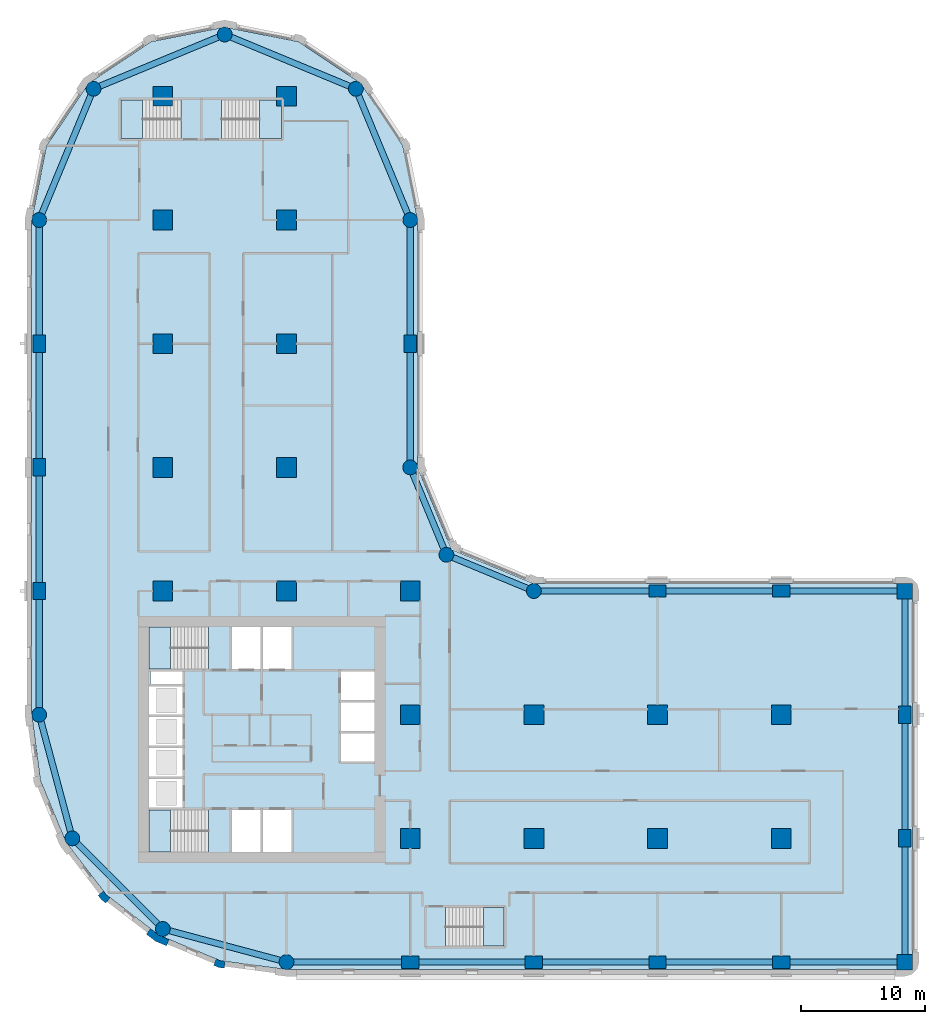
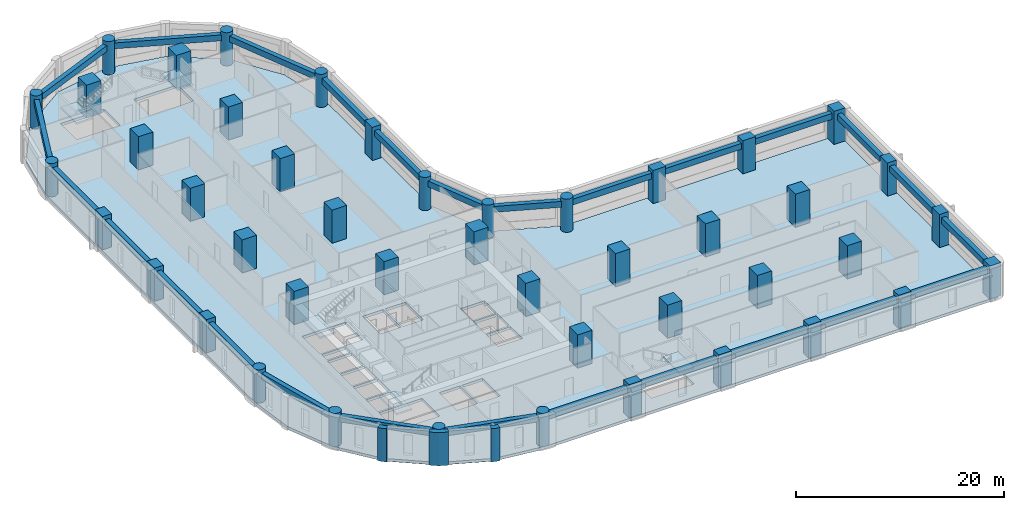
# One storey, part 1 of 10: 45 columns, 26 beams, 6 slabs, 3 walls, 5 elements without a shape of their own.
"""IFC4 building model written with IfcOpenShell, lengths in metres."""

from ifc_helpers import new_model, si_unit, direction, frame, origin, origin_2d, place, context, subcontext, project, spatial, polyline, rectangle, circle, outline, extrude, material, layer, layer_set, material_profile, profile_set, type_object, element, aggregate, save


model = new_model("IFC4")

# Units and contexts
model_context = context("Model", 3, precision=1e-05, world=origin(), true_north=direction((0.0, 1.0)))
body_context = subcontext(model_context, "Body", "Model", "MODEL_VIEW")
ifc_project = project(units=[si_unit("LENGTHUNIT", "METRE"), si_unit("AREAUNIT", "SQUARE_METRE"), si_unit("VOLUMEUNIT", "CUBIC_METRE"), si_unit("PLANEANGLEUNIT", "RADIAN"), si_unit("MASSUNIT", "GRAM", prefix="KILO")], contexts=[model_context])

# Site, building, storey
site_placement = place(None, origin())
site = spatial("IfcSite", under=ifc_project, at=site_placement, CompositionType="ELEMENT")
building_placement = place(site_placement, origin())
building = spatial("IfcBuilding", under=site, at=building_placement, Name="Qaws Garden Tower", CompositionType="ELEMENT")
storey_placement = place(building_placement, frame((0.0, 0.0, 113.39990234375)))
storey = spatial("IfcBuildingStorey", under=building, at=storey_placement, Name="L28", CompositionType="ELEMENT", Elevation=113.39990234375)

# Columns
ifc_material_1 = material(Name="Concrete C80", Category="concrete")
ifc_material_profile_1 = material_profile(ifc_material_1, rectangle(XDim=1.25, YDim=1.25, at=origin_2d()), Name="RC 1250x1250")
ifc_profile_set_1 = profile_set([ifc_material_profile_1], Name="Concrete C80")
column_type_1 = type_object("IfcColumnType", Name="Column RC 1250x1250 C80", PredefinedType="COLUMN", material=ifc_profile_set_1)
for number, where, z_axis, x_axis, name in (
    (1, (70.0, 0.0, 0.0), (0.0, 0.0, 1.0), (1.0, 0.0, 0.0), "Column L28-006"),
    (2, (70.0, 30.0, 0.0), (0.0, 0.0, 1.0), (1.0, 0.0, 0.0), "Column L28-009"),
):
    element("IfcColumn", number, at=place(storey_placement, frame(where, z_axis=z_axis, x_axis=x_axis)), inside=storey, type_object=column_type_1, Name=name, PredefinedType="COLUMN", context=body_context, shape_type="SweptSolid", body=[
        extrude(rectangle(XDim=1.25, YDim=1.25, at=origin_2d()), origin(), (0.0, 0.0, 1.0), 3.900146484375),
    ])
ifc_material_2 = material(Name="Concrete C80", Category="concrete")
ifc_material_profile_2 = material_profile(ifc_material_2, rectangle(XDim=1.39990234375, YDim=1.0, at=origin_2d()), Name="RC 1400x1000")
ifc_profile_set_2 = profile_set([ifc_material_profile_2], Name="Concrete C80")
column_type_2 = type_object("IfcColumnType", Name="Column RC 1400x1000 C80", PredefinedType="COLUMN", material=ifc_profile_set_2)
for number, where, z_axis, x_axis, name in (
    (3, (30.0, 0.0, 0.0), (0.0, 0.0, 1.0), (1.0, 0.0, 0.0), "Column L28-002"),
    (4, (40.0, 0.0, 0.0), (0.0, 0.0, 1.0), (1.0, 0.0, 0.0), "Column L28-003"),
    (5, (50.0, 0.0, 0.0), (0.0, 0.0, 1.0), (1.0, 0.0, 0.0), "Column L28-004"),
    (6, (60.0, 0.0, 0.0), (0.0, 0.0, 1.0), (1.0, 0.0, 0.0), "Column L28-005"),
    (7, (70.0, 10.0, 0.0), (0.0, 0.0, 1.0), (0.0, 1.0, 0.0), "Column L28-007"),
    (8, (70.0, 20.0, 0.0), (0.0, 0.0, 1.0), (0.0, 1.0, 0.0), "Column L28-008"),
    (9, (60.0, 30.0, 0.0), (0.0, 0.0, 1.0), (1.0, 0.0, 0.0), "Column L28-010"),
    (10, (50.0, 30.0, 0.0), (0.0, 0.0, 1.0), (1.0, 0.0, 0.0), "Column L28-011"),
    (11, (30.0, 50.0, 0.0), (0.0, 0.0, 1.0), (0.0, 1.0, 0.0), "Column L28-015"),
    (12, (0.0, 50.0, 0.0), (0.0, 0.0, 1.0), (0.0, 1.0, 0.0), "Column L28-021"),
    (13, (0.0, 40.0, 0.0), (0.0, 0.0, 1.0), (0.0, 1.0, 0.0), "Column L28-022"),
    (14, (0.0, 30.0, 0.0), (0.0, 0.0, 1.0), (0.0, 1.0, 0.0), "Column L28-023"),
):
    element("IfcColumn", number, at=place(storey_placement, frame(where, z_axis=z_axis, x_axis=x_axis)), inside=storey, type_object=column_type_2, Name=name, PredefinedType="COLUMN", context=body_context, shape_type="SweptSolid", body=[
        extrude(rectangle(XDim=1.39990234375, YDim=1.0, at=origin_2d()), origin(), (0.0, 0.0, 1.0), 3.900146484375),
    ])
ifc_material_3 = material(Name="Concrete C80", Category="concrete")
ifc_material_profile_3 = material_profile(ifc_material_3, rectangle(XDim=1.60009765625, YDim=1.60009765625, at=origin_2d()), Name="RC 1600x1600")
ifc_profile_set_3 = profile_set([ifc_material_profile_3], Name="Concrete C80")
column_type_3 = type_object("IfcColumnType", Name="Column RC 1600x1600 C80", PredefinedType="COLUMN", material=ifc_profile_set_3)
for number, where, z_axis, x_axis, name in (
    (15, (10.0, 30.0, 0.0), (0.0, 0.0, 1.0), (1.0, 0.0, 0.0), "Column L28-027"),
    (16, (10.0, 40.0, 0.0), (0.0, 0.0, 1.0), (1.0, 0.0, 0.0), "Column L28-028"),
    (17, (10.0, 50.0, 0.0), (0.0, 0.0, 1.0), (1.0, 0.0, 0.0), "Column L28-029"),
    (18, (10.0, 60.0, 0.0), (0.0, 0.0, 1.0), (1.0, 0.0, 0.0), "Column L28-030"),
    (19, (10.0, 70.0, 0.0), (0.0, 0.0, 1.0), (1.0, 0.0, 0.0), "Column L28-031"),
    (20, (20.0, 30.0, 0.0), (0.0, 0.0, 1.0), (1.0, 0.0, 0.0), "Column L28-032"),
    (21, (20.0, 40.0, 0.0), (0.0, 0.0, 1.0), (1.0, 0.0, 0.0), "Column L28-033"),
    (22, (20.0, 50.0, 0.0), (0.0, 0.0, 1.0), (1.0, 0.0, 0.0), "Column L28-034"),
    (23, (20.0, 60.0, 0.0), (0.0, 0.0, 1.0), (1.0, 0.0, 0.0), "Column L28-035"),
    (24, (20.0, 70.0, 0.0), (0.0, 0.0, 1.0), (1.0, 0.0, 0.0), "Column L28-036"),
    (25, (30.0, 10.0, 0.0), (0.0, 0.0, 1.0), (1.0, 0.0, 0.0), "Column L28-037"),
    (26, (30.0, 20.0, 0.0), (0.0, 0.0, 1.0), (1.0, 0.0, 0.0), "Column L28-038"),
    (27, (30.0, 30.0, 0.0), (0.0, 0.0, 1.0), (1.0, 0.0, 0.0), "Column L28-039"),
    (28, (40.0, 10.0, 0.0), (0.0, 0.0, 1.0), (1.0, 0.0, 0.0), "Column L28-040"),
    (29, (40.0, 20.0, 0.0), (0.0, 0.0, 1.0), (1.0, 0.0, 0.0), "Column L28-041"),
    (30, (50.0, 10.0, 0.0), (0.0, 0.0, 1.0), (1.0, 0.0, 0.0), "Column L28-042"),
    (31, (50.0, 20.0, 0.0), (0.0, 0.0, 1.0), (1.0, 0.0, 0.0), "Column L28-043"),
    (32, (60.0, 10.0, 0.0), (0.0, 0.0, 1.0), (1.0, 0.0, 0.0), "Column L28-044"),
    (33, (60.0, 20.0, 0.0), (0.0, 0.0, 1.0), (1.0, 0.0, 0.0), "Column L28-045"),
):
    element("IfcColumn", number, at=place(storey_placement, frame(where, z_axis=z_axis, x_axis=x_axis)), inside=storey, type_object=column_type_3, Name=name, PredefinedType="COLUMN", context=body_context, shape_type="SweptSolid", body=[
        extrude(rectangle(XDim=1.60009765625, YDim=1.60009765625, at=origin_2d()), origin(), (0.0, 0.0, 1.0), 3.900146484375),
    ])
ifc_material_4 = material(Name="Concrete C80", Category="concrete")
ifc_material_profile_4 = material_profile(ifc_material_4, circle(Radius=0.60009765625, at=origin_2d()), Name="RC D1200")
ifc_profile_set_4 = profile_set([ifc_material_profile_4], Name="Concrete C80")
column_type_4 = type_object("IfcColumnType", Name="Column RC D1200 C80", PredefinedType="COLUMN", material=ifc_profile_set_4)
for number, where, z_axis, x_axis, name in (
    (34, (20.0, 0.0, 0.0), (0.0, 0.0, 1.0), (1.0, 0.0, 0.0), "Column L28-001"),
    (35, (40.0, 30.0, 0.0), (0.0, 0.0, 1.0), (1.0, 0.0, 0.0), "Column L28-012"),
    (36, (32.928955078125, 32.928955078125, 0.0), (0.0, 0.0, 1.0), (1.0, 0.0, 0.0), "Column L28-013"),
    (37, (30.0, 40.0, 0.0), (0.0, 0.0, 1.0), (1.0, 0.0, 0.0), "Column L28-014"),
    (38, (30.0, 60.0, 0.0), (0.0, 0.0, 1.0), (1.0, 0.0, 0.0), "Column L28-016"),
    (39, (25.606689453125, 70.606689453125, 0.0), (0.0, 0.0, 1.0), (1.0, 0.0, 0.0), "Column L28-017"),
    (40, (15.0, 75.0, 0.0), (0.0, 0.0, 1.0), (1.0, 0.0, 0.0), "Column L28-018"),
    (41, (4.393310546875, 70.606689453125, 0.0), (0.0, 0.0, 1.0), (1.0, 0.0, 0.0), "Column L28-019"),
    (42, (0.0, 60.0, 0.0), (0.0, 0.0, 1.0), (1.0, 0.0, 0.0), "Column L28-020"),
    (43, (0.0, 20.0, 0.0), (0.0, 0.0, 1.0), (1.0, 0.0, 0.0), "Column L28-024"),
    (44, (2.679443359375, 10.0, 0.0), (0.0, 0.0, 1.0), (1.0, 0.0, 0.0), "Column L28-025"),
    (45, (10.0, 2.679443359375, 0.0), (0.0, 0.0, 1.0), (1.0, 0.0, 0.0), "Column L28-026"),
):
    element("IfcColumn", number, at=place(storey_placement, frame(where, z_axis=z_axis, x_axis=x_axis)), inside=storey, type_object=column_type_4, Name=name, PredefinedType="COLUMN", context=body_context, shape_type="SweptSolid", body=[
        extrude(circle(Radius=0.60009765625, at=origin_2d()), origin(), (0.0, 0.0, 1.0), 3.900146484375),
    ])

# Beams
ifc_material_5 = material(Name="Concrete C45", Category="concrete")
ifc_material_profile_5 = material_profile(ifc_material_5, rectangle(XDim=0.5, YDim=0.699951171875, at=origin_2d()), Name="RC 500x700")
ifc_profile_set_5 = profile_set([ifc_material_profile_5], Name="Concrete C45")
beam_type = type_object("IfcBeamType", Name="Spandrel beam RC 500x700 C45", PredefinedType="SPANDREL", material=ifc_profile_set_5)
for number, where, z_axis, x_axis, name in (
    (46, (20.0, 0.0, 3.10009765625), (1.0, 0.0, 0.0), (0.0, 1.0, 0.0), "Spandrel beam L28-001"),
    (47, (30.0, 0.0, 3.10009765625), (1.0, 0.0, 0.0), (0.0, 1.0, 0.0), "Spandrel beam L28-002"),
    (48, (40.0, 0.0, 3.10009765625), (1.0, 0.0, 0.0), (0.0, 1.0, 0.0), "Spandrel beam L28-003"),
    (49, (50.0, 0.0, 3.10009765625), (1.0, 0.0, 0.0), (0.0, 1.0, 0.0), "Spandrel beam L28-004"),
    (50, (60.0, 0.0, 3.10009765625), (1.0, 0.0, 0.0), (0.0, 1.0, 0.0), "Spandrel beam L28-005"),
    (51, (70.0, 0.0, 3.10009765625), (0.0, 1.0, 0.0), (-1.0, 0.0, 0.0), "Spandrel beam L28-006"),
    (52, (70.0, 10.0, 3.10009765625), (0.0, 1.0, 0.0), (-1.0, 0.0, 0.0), "Spandrel beam L28-007"),
    (53, (70.0, 20.0, 3.10009765625), (0.0, 1.0, 0.0), (-1.0, 0.0, 0.0), "Spandrel beam L28-008"),
    (54, (70.0, 30.0, 3.10009765625), (-1.0, 0.0, 0.0), (0.0, -1.0, 0.0), "Spandrel beam L28-009"),
    (55, (60.0, 30.0, 3.10009765625), (-1.0, 0.0, 0.0), (0.0, -1.0, 0.0), "Spandrel beam L28-010"),
    (56, (50.0, 30.0, 3.10009765625), (-1.0, 0.0, 0.0), (0.0, -1.0, 0.0), "Spandrel beam L28-011"),
):
    element("IfcBeam", number, at=place(storey_placement, frame(where, z_axis=z_axis, x_axis=x_axis)), inside=storey, type_object=beam_type, Name=name, PredefinedType="SPANDREL", context=body_context, shape_type="SweptSolid", body=[
        extrude(rectangle(XDim=0.5, YDim=0.699951171875, at=origin_2d()), origin(), (0.0, 0.0, 1.0), 10.0),
    ])
for number, where, z_axis, x_axis, name in (
    (57, (40.0, 30.0, 3.10009765625), (-0.923878037141, 0.382687042488, 0.0), (-0.382687042488, -0.923878037141, 0.0), "Spandrel beam L28-012"),
    (58, (32.928955078125, 32.928955078125, 3.10009765625), (-0.382687042488, 0.923878037141, 0.0), (-0.923878037141, -0.382687042488, 0.0), "Spandrel beam L28-013"),
):
    element("IfcBeam", number, at=place(storey_placement, frame(where, z_axis=z_axis, x_axis=x_axis)), inside=storey, type_object=beam_type, Name=name, PredefinedType="SPANDREL", context=body_context, shape_type="SweptSolid", body=[
        extrude(rectangle(XDim=0.5, YDim=0.699951171875, at=origin_2d()), origin(), (0.0, 0.0, 1.0), 7.653564453125),
    ])
for number, where, z_axis, x_axis, name in (
    (59, (30.0, 40.0, 3.10009765625), (0.0, 1.0, 0.0), (-1.0, 0.0, 0.0), "Spandrel beam L28-014"),
    (60, (30.0, 50.0, 3.10009765625), (0.0, 1.0, 0.0), (-1.0, 0.0, 0.0), "Spandrel beam L28-015"),
):
    element("IfcBeam", number, at=place(storey_placement, frame(where, z_axis=z_axis, x_axis=x_axis)), inside=storey, type_object=beam_type, Name=name, PredefinedType="SPANDREL", context=body_context, shape_type="SweptSolid", body=[
        extrude(rectangle(XDim=0.5, YDim=0.699951171875, at=origin_2d()), origin(), (0.0, 0.0, 1.0), 10.0),
    ])
for number, where, z_axis, x_axis, name in (
    (61, (30.0, 60.0, 3.10009765625), (-0.382674207535, 0.923883353507, 0.0), (-0.923883353507, -0.382674207535, 0.0), "Spandrel beam L28-016"),
    (62, (25.606689453125, 70.606689453125, 3.10009765625), (-0.923883353507, 0.382674207535, 0.0), (-0.382674207535, -0.923883353507, 0.0), "Spandrel beam L28-017"),
    (63, (15.0, 75.0, 3.10009765625), (-0.923883353507, -0.382674207535, 0.0), (0.382674207535, -0.923883353507, 0.0), "Spandrel beam L28-018"),
    (64, (4.393310546875, 70.606689453125, 3.10009765625), (-0.382674207535, -0.923883353507, 0.0), (0.923883353507, -0.382674207535, 0.0), "Spandrel beam L28-019"),
):
    element("IfcBeam", number, at=place(storey_placement, frame(where, z_axis=z_axis, x_axis=x_axis)), inside=storey, type_object=beam_type, Name=name, PredefinedType="SPANDREL", context=body_context, shape_type="SweptSolid", body=[
        extrude(rectangle(XDim=0.5, YDim=0.699951171875, at=origin_2d()), origin(), (0.0, 0.0, 1.0), 11.48046875),
    ])
for number, where, z_axis, x_axis, name in (
    (65, (0.0, 60.0, 3.10009765625), (0.0, -1.0, 0.0), (1.0, 0.0, 0.0), "Spandrel beam L28-020"),
    (66, (0.0, 50.0, 3.10009765625), (0.0, -1.0, 0.0), (1.0, 0.0, 0.0), "Spandrel beam L28-021"),
    (67, (0.0, 40.0, 3.10009765625), (0.0, -1.0, 0.0), (1.0, 0.0, 0.0), "Spandrel beam L28-022"),
    (68, (0.0, 30.0, 3.10009765625), (0.0, -1.0, 0.0), (1.0, 0.0, 0.0), "Spandrel beam L28-023"),
):
    element("IfcBeam", number, at=place(storey_placement, frame(where, z_axis=z_axis, x_axis=x_axis)), inside=storey, type_object=beam_type, Name=name, PredefinedType="SPANDREL", context=body_context, shape_type="SweptSolid", body=[
        extrude(rectangle(XDim=0.5, YDim=0.699951171875, at=origin_2d()), origin(), (0.0, 0.0, 1.0), 10.0),
    ])
for number, where, z_axis, x_axis, name in (
    (69, (0.0, 20.0, 3.10009765625), (0.25881466832, -0.965926999034, 0.0), (0.965926999034, 0.25881466832, 0.0), "Spandrel beam L28-024"),
    (70, (2.679443359375, 10.0, 3.10009765625), (0.707106781187, -0.707106781187, 0.0), (0.707106781187, 0.707106781187, 0.0), "Spandrel beam L28-025"),
    (71, (10.0, 2.679443359375, 3.10009765625), (0.965926999034, -0.25881466832, 0.0), (0.25881466832, 0.965926999034, 0.0), "Spandrel beam L28-026"),
):
    element("IfcBeam", number, at=place(storey_placement, frame(where, z_axis=z_axis, x_axis=x_axis)), inside=storey, type_object=beam_type, Name=name, PredefinedType="SPANDREL", context=body_context, shape_type="SweptSolid", body=[
        extrude(rectangle(XDim=0.5, YDim=0.699951171875, at=origin_2d()), origin(), (0.0, 0.0, 1.0), 10.352783203125),
    ])

# Slab
ifc_material_6 = material(Name="Concrete C40", Category="concrete")
ifc_layer_1 = layer(ifc_material_6, 0.320068359375)
ifc_layer_set_1 = layer_set([ifc_layer_1], Name="Concrete C40")
slab_type_1 = type_object("IfcSlabType", Name="Floor slab 320 C40", PredefinedType="FLOOR", material=ifc_layer_set_1)
slab_1_placement = place(storey_placement, frame((0.0, 0.0, -0.31982421875)))
element("IfcSlab", 72, at=slab_1_placement, inside=storey, type_object=slab_type_1, Name="Floor slab L28", PredefinedType="FLOOR", context=body_context, shape_type="SweptSolid", body=[
    extrude(outline(polyline([(0.101806640625, 14.668212890625), (-0.60009765625, 20.0), (-0.60009765625, 30.60009765625), (-0.60009765625, 60.0), (-0.60009765625, 60.0), (0.58740234375, 65.969970703125), (3.968994140625, 71.031005859375), (9.030029296875, 74.41259765625), (15.0, 75.60009765625), (20.969970703125, 74.41259765625), (26.031005859375, 71.031005859375), (29.41259765625, 65.969970703125), (30.60009765625, 60.0), (30.60009765625, 40.0), (33.353271484375, 33.353271484375), (40.0, 30.60009765625), (70.0, 30.60009765625), (70.42431640625, 30.42431640625), (70.60009765625, 30.0), (70.60009765625, 0.0), (70.42431640625, -0.42431640625), (70.0, -0.60009765625), (30.60009765625, -0.60009765625), (20.0, -0.60009765625), (14.668212890625, 0.101806640625), (9.699951171875, 2.159912109375), (5.43359375, 5.43359375), (2.159912109375, 9.699951171875), (0.101806640625, 14.668212890625)]), holes=[polyline([(13.699462890625, 12.300048828125), (8.89990234375, 12.300048828125), (8.89990234375, 8.89990234375), (13.699462890625, 8.89990234375), (13.699462890625, 12.300048828125)]), polyline([(17.89990234375, 12.300048828125), (15.60009765625, 12.300048828125), (15.60009765625, 8.89990234375), (17.89990234375, 8.89990234375), (17.89990234375, 12.300048828125)]), polyline([(11.60009765625, 14.800048828125), (8.89990234375, 14.800048828125), (8.89990234375, 12.5), (11.60009765625, 12.5), (11.60009765625, 14.800048828125)]), polyline([(11.60009765625, 17.300048828125), (8.89990234375, 17.300048828125), (8.89990234375, 15.0), (11.60009765625, 15.0), (11.60009765625, 17.300048828125)]), polyline([(11.60009765625, 19.800048828125), (8.89990234375, 19.800048828125), (8.89990234375, 17.5), (11.60009765625, 17.5), (11.60009765625, 19.800048828125)]), polyline([(11.60009765625, 22.300048828125), (8.89990234375, 22.300048828125), (8.89990234375, 20.0), (11.60009765625, 20.0), (11.60009765625, 22.300048828125)]), polyline([(11.60009765625, 23.5), (9.0, 23.5), (9.0, 22.5), (11.60009765625, 22.5), (11.60009765625, 23.5)]), polyline([(13.699462890625, 27.10009765625), (8.89990234375, 27.10009765625), (8.89990234375, 23.699951171875), (13.699462890625, 23.699951171875), (13.699462890625, 27.10009765625)]), polyline([(11.449462890625, 69.699951171875), (6.60009765625, 69.699951171875), (6.60009765625, 66.60009765625), (11.449462890625, 66.60009765625), (11.449462890625, 69.699951171875)]), polyline([(37.60009765625, 4.39990234375), (32.8505859375, 4.39990234375), (32.8505859375, 1.300048828125), (37.60009765625, 1.300048828125), (37.60009765625, 4.39990234375)]), polyline([(20.39990234375, 12.300048828125), (18.10009765625, 12.300048828125), (18.10009765625, 8.89990234375), (20.39990234375, 8.89990234375), (20.39990234375, 12.300048828125)]), polyline([(27.10009765625, 18.5), (24.39990234375, 18.5), (24.39990234375, 16.199951171875), (27.10009765625, 16.199951171875), (27.10009765625, 18.5)]), polyline([(27.10009765625, 21.0), (24.39990234375, 21.0), (24.39990234375, 18.699951171875), (27.10009765625, 18.699951171875), (27.10009765625, 21.0)]), polyline([(27.10009765625, 23.5), (24.39990234375, 23.5), (24.39990234375, 21.199951171875), (27.10009765625, 21.199951171875), (27.10009765625, 23.5)]), polyline([(17.89990234375, 27.10009765625), (15.60009765625, 27.10009765625), (15.60009765625, 23.699951171875), (17.89990234375, 23.699951171875), (17.89990234375, 27.10009765625)]), polyline([(20.39990234375, 23.699951171875), (20.39990234375, 27.10009765625), (18.10009765625, 27.10009765625), (18.10009765625, 23.699951171875), (20.39990234375, 23.699951171875)]), polyline([(19.60009765625, 66.60009765625), (19.60009765625, 69.699951171875), (14.75048828125, 69.699951171875), (14.75048828125, 66.60009765625), (19.60009765625, 66.60009765625)])]), origin(), (0.0, 0.0, 1.0), 0.31982421875),
])

# Stair, slab
ifc_material_7 = material(Name="Concrete C40", Category="concrete")
stair_type_1 = type_object("IfcStairType", Name="Exit stair 1500", PredefinedType="HALF_TURN_STAIR", material=ifc_material_7)
placement_1 = place(storey_placement, origin())
stair_1 = element("IfcStair", 73, at=placement_1, inside=storey, type_object=stair_type_1, Name="Stair 1", PredefinedType="HALF_TURN_STAIR")
ifc_material_8 = material(Name="Concrete C40", Category="concrete")
ifc_layer_2 = layer(ifc_material_8, 0.199951171875)
ifc_layer_set_2 = layer_set([ifc_layer_2], Name="Concrete C40")
slab_type_2 = type_object("IfcSlabType", Name="Stair landing 200", PredefinedType="LANDING", material=ifc_layer_set_2)
placement_2 = place(storey_placement, frame((0.0, 0.0, 1.75)))
slab_2 = element("IfcSlab", 74, at=placement_2, type_object=slab_type_2, Name="ST1 landing 1", PredefinedType="LANDING", context=body_context, shape_type="SweptSolid", body=[
    extrude(outline(polyline([(8.89990234375, 8.89990234375), (10.6201171875, 8.89990234375), (10.6201171875, 12.300048828125), (8.89990234375, 12.300048828125), (8.89990234375, 8.89990234375)])), origin(), (0.0, 0.0, 1.0), 0.2001953125),
])
aggregate(stair_1, [slab_2])

stair_2 = element("IfcStair", 75, at=placement_1, inside=storey, type_object=stair_type_1, Name="Stair 4", PredefinedType="HALF_TURN_STAIR")
slab_3 = element("IfcSlab", 76, at=placement_2, type_object=slab_type_2, Name="ST4 landing 1", PredefinedType="LANDING", context=body_context, shape_type="SweptSolid", body=[
    extrude(outline(polyline([(8.89990234375, 23.699951171875), (10.6201171875, 23.699951171875), (10.6201171875, 27.10009765625), (8.89990234375, 27.10009765625), (8.89990234375, 23.699951171875)])), origin(), (0.0, 0.0, 1.0), 0.2001953125),
])
aggregate(stair_2, [slab_3])

ifc_material_9 = material(Name="Concrete C40", Category="concrete")
stair_type_2 = type_object("IfcStairType", Name="Exit stair 1350", PredefinedType="HALF_TURN_STAIR", material=ifc_material_9)
stair_3 = element("IfcStair", 77, at=placement_1, inside=storey, type_object=stair_type_2, Name="Stair 5", PredefinedType="HALF_TURN_STAIR")
slab_4 = element("IfcSlab", 78, at=placement_2, type_object=slab_type_2, Name="ST5 landing 1", PredefinedType="LANDING", context=body_context, shape_type="SweptSolid", body=[
    extrude(outline(polyline([(35.929931640625, 1.300048828125), (37.60009765625, 1.300048828125), (37.60009765625, 4.39990234375), (35.929931640625, 4.39990234375), (35.929931640625, 1.300048828125)])), origin(), (0.0, 0.0, 1.0), 0.2001953125),
])
aggregate(stair_3, [slab_4])

stair_4 = element("IfcStair", 79, at=placement_1, inside=storey, type_object=stair_type_2, Name="Stair 6", PredefinedType="HALF_TURN_STAIR")
slab_5 = element("IfcSlab", 80, at=placement_2, type_object=slab_type_2, Name="ST6 landing 1", PredefinedType="LANDING", context=body_context, shape_type="SweptSolid", body=[
    extrude(outline(polyline([(6.60009765625, 66.60009765625), (8.3701171875, 66.60009765625), (8.3701171875, 69.699951171875), (6.60009765625, 69.699951171875), (6.60009765625, 66.60009765625)])), origin(), (0.0, 0.0, 1.0), 0.2001953125),
])
aggregate(stair_4, [slab_5])

stair_5 = element("IfcStair", 81, at=placement_1, inside=storey, type_object=stair_type_2, Name="Stair 7", PredefinedType="HALF_TURN_STAIR")
slab_6 = element("IfcSlab", 82, at=placement_2, type_object=slab_type_2, Name="ST7 landing 1", PredefinedType="LANDING", context=body_context, shape_type="SweptSolid", body=[
    extrude(outline(polyline([(17.830078125, 66.60009765625), (19.60009765625, 66.60009765625), (19.60009765625, 69.699951171875), (17.830078125, 69.699951171875), (17.830078125, 66.60009765625)])), origin(), (0.0, 0.0, 1.0), 0.2001953125),
])
aggregate(stair_5, [slab_6])

# Walls
ifc_material_10 = material(Name="Buff clay facing brick masonry", Category="masonry")
ifc_layer_3 = layer(ifc_material_10, 0.550048828125)
ifc_layer_set_3 = layer_set([ifc_layer_3], Name="Buff clay facing brick masonry")
wall_type_1 = type_object("IfcWallType", Name="Buff brick kink pier 550 x 600", PredefinedType="SOLIDWALL", material=ifc_layer_set_3)
element("IfcWall", 83, at=placement_1, inside=storey, type_object=wall_type_1, Name="E-L28-pier-30", PredefinedType="SOLIDWALL", context=body_context, shape_type="SweptSolid", body=[
    extrude(outline(polyline([(4.8818359375, 5.487060546875), (4.762939453125, 5.395751953125), (5.03759765625, 5.03759765625), (5.395751953125, 4.762939453125), (5.487060546875, 4.8818359375), (5.730712890625, 5.19921875), (5.429931640625, 5.429931640625), (5.19921875, 5.730712890625), (4.8818359375, 5.487060546875)])), origin(), (0.0, 0.0, 1.0), 3.900146484375),
])
element("IfcWall", 84, at=placement_1, inside=storey, type_object=wall_type_1, Name="E-L28-pier-32", PredefinedType="SOLIDWALL", context=body_context, shape_type="SweptSolid", body=[
    extrude(outline(polyline([(14.163818359375, -0.127685546875), (14.1064453125, -0.26611328125), (14.5234375, -0.43896484375), (14.970947265625, -0.497802734375), (14.990478515625, -0.34912109375), (15.042724609375, 0.04736328125), (14.6669921875, 0.096923828125), (14.31689453125, 0.241943359375), (14.163818359375, -0.127685546875)])), origin(), (0.0, 0.0, 1.0), 3.900146484375),
])
ifc_material_11 = material(Name="Buff clay facing brick masonry", Category="masonry")
ifc_layer_4 = layer(ifc_material_11, 0.550048828125)
ifc_layer_set_4 = layer_set([ifc_layer_4], Name="Buff clay facing brick masonry")
wall_type_2 = type_object("IfcWallType", Name="Buff brick pier 550 x 1600", PredefinedType="SOLIDWALL", material=ifc_layer_set_4)
element("IfcWall", 85, at=placement_1, inside=storey, type_object=wall_type_2, Name="E-L28-pier-31", PredefinedType="SOLIDWALL", context=body_context, shape_type="SweptSolid", body=[
    extrude(outline(polyline([(8.756591796875, 2.373046875), (8.665283203125, 2.254150390625), (9.419921875, 1.675048828125), (10.299072265625, 1.310791015625), (10.3564453125, 1.449462890625), (10.509521484375, 1.819091796875), (9.697509765625, 2.1552734375), (9.0, 2.6904296875), (8.756591796875, 2.373046875)])), origin(), (0.0, 0.0, 1.0), 3.900146484375),
])

save(model, "model.ifc")
